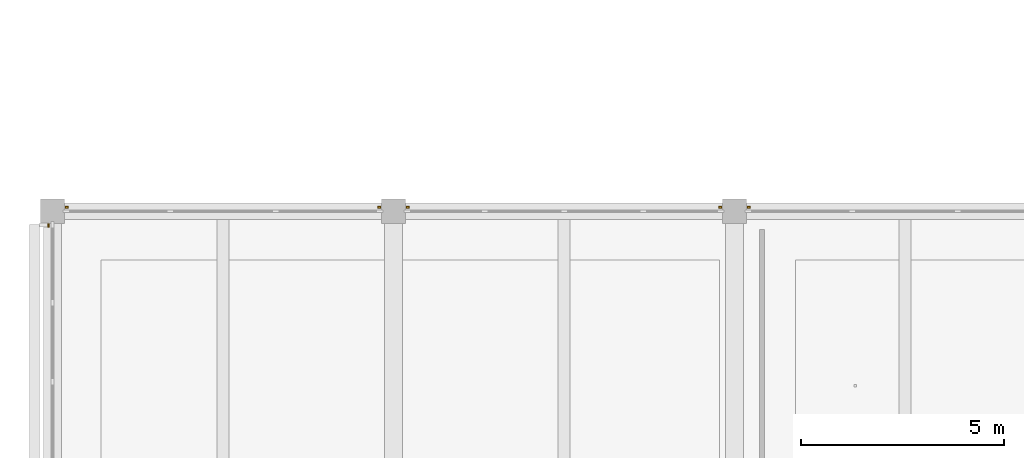
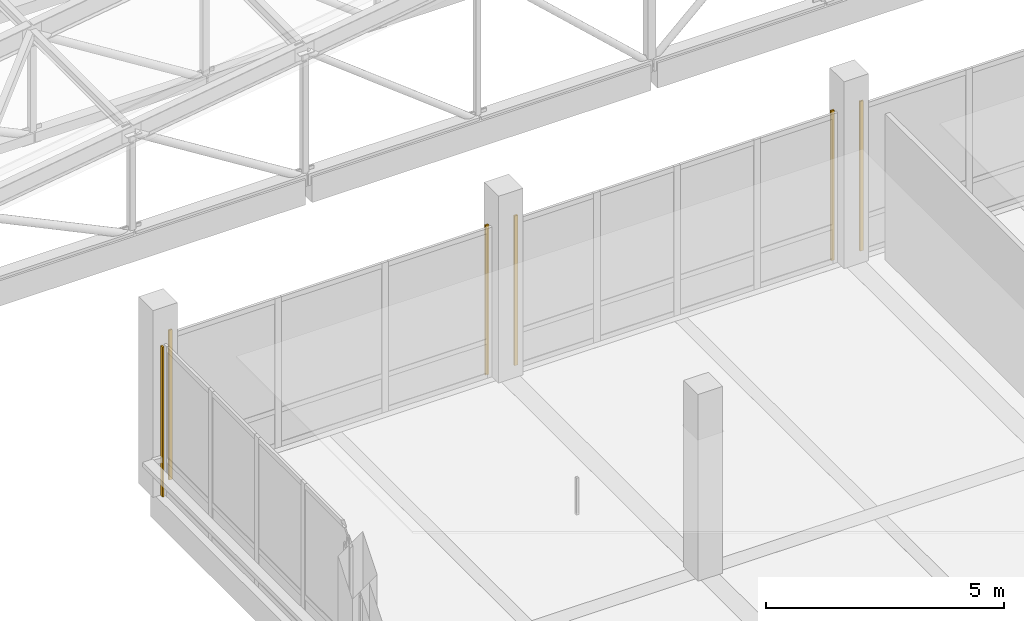
# One storey, part 119 of 122: 6 coverings.
"""IFC4 building model written with IfcOpenShell, lengths in metres."""

import ifcopenshell
import ifcopenshell.guid

model = None  # the IFC model being written
_history = None  # IfcOwnerHistory: only IFC2X3 demands one
_inside = {}  # id of a spatial element -> (the spatial element, [elements in it])
_under = {}  # id of a project, library or spatial element -> (it, [spatial elements below it])
_declared = {}  # id of a project -> (the project, [libraries it declares])
_typed = {}  # id of a type object -> (the type object, [elements of that type])
_made_of = {}  # id of a material, layer set ... -> (it, [elements and type objects made of it])


def new_model(schema):
    """Start an empty IFC model of exactly this schema.

    Asked for "IFC4X3", IfcOpenShell would pick the latest addendum, in which some entities
    have other attributes; the version numbers below select the first issue.
    IFC2X3 requires an IfcOwnerHistory on every rooted entity: one is made here for all.
    """
    global model, _history
    if schema == "IFC4X3":
        model = ifcopenshell.file(schema_version=(4, 3, 0, 0))
    else:
        model = ifcopenshell.file(schema=schema)
    _inside.clear()
    _under.clear()
    _declared.clear()
    _typed.clear()
    _made_of.clear()
    _history = None
    if model.schema == "IFC2X3":
        org = make("IfcOrganization", Name="unknown")
        user = make(
            "IfcPersonAndOrganization",
            ThePerson=make("IfcPerson", FamilyName="unknown"),
            TheOrganization=org,
        )
        app = make(
            "IfcApplication",
            ApplicationDeveloper=org,
            Version="unknown",
            ApplicationFullName="unknown",
            ApplicationIdentifier="unknown",
        )
        _history = make(
            "IfcOwnerHistory",
            OwningUser=user,
            OwningApplication=app,
            ChangeAction="ADDED",
            CreationDate=0,
        )
    return model


def make(cls, **values):
    """One entity of the class cls with the attributes given. An attribute that is None is left unset."""
    return model.create_entity(
        cls, **{name: value for name, value in values.items() if value is not None}
    )


def rooted(cls, **values):
    """An entity with a GlobalId (a new one), such as an element, a storey or a relation."""
    return make(cls, GlobalId=ifcopenshell.guid.new(), OwnerHistory=_history, **values)


def si_unit(unit_type, name, prefix=None):
    """IfcSIUnit, for example si_unit("LENGTHUNIT", "METRE", prefix="MILLI")."""
    return make("IfcSIUnit", UnitType=unit_type, Prefix=prefix, Name=name)


def assignment(units):
    """IfcUnitAssignment: the units of a project."""
    return None if units is None else make("IfcUnitAssignment", Units=units)


def point(xyz):
    """IfcCartesianPoint."""
    return None if xyz is None else make("IfcCartesianPoint", Coordinates=xyz)


def direction(xyz):
    """IfcDirection."""
    return None if xyz is None else make("IfcDirection", DirectionRatios=xyz)


def frame(location, z_axis=None, x_axis=None):
    """IfcAxis2Placement3D, a coordinate frame: its origin and axes. An axis left out is left unset."""
    return make(
        "IfcAxis2Placement3D",
        Location=point(location),
        Axis=direction(z_axis),
        RefDirection=direction(x_axis),
    )


def frame_2d(location, x_axis=None):
    """IfcAxis2Placement2D, a coordinate frame in the plane: its origin and x axis."""
    return make(
        "IfcAxis2Placement2D", Location=point(location), RefDirection=direction(x_axis)
    )


def origin():
    """The frame at (0, 0, 0) with its axes left unset."""
    return frame((0.0, 0.0, 0.0))


def origin_2d():
    """The frame at (0, 0) in the plane with its x axis left unset."""
    return frame_2d((0.0, 0.0))


def place(relative_to, where):
    """IfcLocalPlacement: puts the frame where relative to a parent placement (None: the world)."""
    return make(
        "IfcLocalPlacement", PlacementRelTo=relative_to, RelativePlacement=where
    )


def context(
    kind, dimensions, precision=None, world=None, true_north=None, identifier=None
):
    """IfcGeometricRepresentationContext, for example the 3D "Model" context."""
    return make(
        "IfcGeometricRepresentationContext",
        ContextIdentifier=identifier,
        ContextType=kind,
        CoordinateSpaceDimension=dimensions,
        Precision=precision,
        WorldCoordinateSystem=world,
        TrueNorth=true_north,
    )


def subcontext(parent, identifier, kind, view, scale=None):
    """IfcGeometricRepresentationSubContext, for example "Body" below "Model"."""
    return make(
        "IfcGeometricRepresentationSubContext",
        ContextIdentifier=identifier,
        ContextType=kind,
        ParentContext=parent,
        TargetScale=scale,
        TargetView=view,
    )


def project(units=None, contexts=None):
    """IfcProject with its units and contexts."""
    return rooted(
        "IfcProject",
        Name="project",
        RepresentationContexts=contexts,
        UnitsInContext=assignment(units),
    )


def spatial(cls, under=None, at=None, **own):
    """A site, building, storey or space (cls), placed at a placement, below another one or the project."""
    s = rooted(cls, ObjectPlacement=at, **own)
    if under is not None:
        _under.setdefault(under.id(), (under, []))[1].append(s)
    return s


def profile(cls, at=None, kind="AREA", **sizes):
    """A parametric profile (cls). Its sizes go by their IFC names, for example OverallWidth=200.0."""
    return make(cls, ProfileType=kind, Position=at, **sizes)


def rectangle(**sizes):
    """IfcRectangleProfileDef."""
    return profile("IfcRectangleProfileDef", **sizes)


def extrude(swept, where, along, depth):
    """IfcExtrudedAreaSolid: the profile swept, set in the frame where, extruded along a direction by depth."""
    return make(
        "IfcExtrudedAreaSolid",
        SweptArea=swept,
        Position=where,
        ExtrudedDirection=direction(along),
        Depth=depth,
    )


def shape(context_of_items, identifier, shape_type, items):
    """IfcShapeRepresentation: the items that make up one representation, for example the "Body"."""
    return make(
        "IfcShapeRepresentation",
        ContextOfItems=context_of_items,
        RepresentationIdentifier=identifier,
        RepresentationType=shape_type,
        Items=items,
    )


def material(Name=None, Category=None):
    """IfcMaterial."""
    return make("IfcMaterial", Name=Name, Category=Category)


def layer(
    of_material, thickness, ventilated=None, Name=None, Category=None, Priority=None
):
    """IfcMaterialLayer: one layer of a wall or slab, of a material (None: an air gap)."""
    return make(
        "IfcMaterialLayer",
        Material=of_material,
        LayerThickness=thickness,
        IsVentilated=ventilated,
        Name=Name,
        Category=Category,
        Priority=Priority,
    )


def layer_set(layers, Name=None):
    """IfcMaterialLayerSet."""
    return make("IfcMaterialLayerSet", MaterialLayers=layers, LayerSetName=Name)


def made_of(thing, what):
    """Note that an element or type object is made of a material, layer set ...; save() writes the relation."""
    if what is not None:
        _made_of.setdefault(what.id(), (what, []))[1].append(thing)
    return thing


def type_object(cls, material=None, **own):
    """A type object (cls), such as IfcWallType, which elements share."""
    return made_of(rooted(cls, **own), material)


def element(
    cls,
    number,
    at=None,
    inside=None,
    cuts=None,
    type_object=None,
    material=None,
    context=None,
    identifier="Body",
    shape_type=None,
    held_by="IfcProductDefinitionShape",
    body=None,
    shapes=None,
    **own,
):
    """One element of the class cls, such as IfcWall. Its Tag is "e" and its number.

    at: its placement. inside: the storey or other place that contains it. cuts: it is an
    opening in that element (IfcRelVoidsElement). A single representation is given by context,
    identifier, shape_type and body (its items); several are given by shapes. held_by: the class
    of the entity that holds the representations. save() writes the other relations.
    """
    e = rooted(cls, Tag="e%d" % number, ObjectPlacement=at, **own)
    if body is not None:
        shapes = [shape(context, identifier, shape_type, body)]
    if shapes is not None:
        e.Representation = make(held_by, Representations=shapes)
    if inside is not None:
        _inside.setdefault(inside.id(), (inside, []))[1].append(e)
    if cuts is not None:
        rooted(
            "IfcRelVoidsElement", RelatingBuildingElement=cuts, RelatedOpeningElement=e
        )
    if type_object is not None:
        _typed.setdefault(type_object.id(), (type_object, []))[1].append(e)
    return made_of(e, material)


def aggregate(whole, parts):
    """IfcRelAggregates: a whole, such as a stair, and the parts it consists of."""
    return rooted("IfcRelAggregates", RelatingObject=whole, RelatedObjects=parts)


def save(model, path):
    """Write the relations noted so far, then the file.

    IfcRelAggregates (storeys below a building ...), IfcRelContainedInSpatialStructure (elements
    in a storey), IfcRelDefinesByType, IfcRelAssociatesMaterial and IfcRelDeclares: one each for
    every whole, place, type object, material and project.
    """
    for whole, parts in _under.values():
        aggregate(whole, parts)
    for where, things in _inside.values():
        rooted(
            "IfcRelContainedInSpatialStructure",
            RelatedElements=things,
            RelatingStructure=where,
        )
    for kind, things in _typed.values():
        rooted("IfcRelDefinesByType", RelatedObjects=things, RelatingType=kind)
    for what, things in _made_of.values():
        rooted("IfcRelAssociatesMaterial", RelatedObjects=things, RelatingMaterial=what)
    for by, libraries in _declared.values():
        rooted("IfcRelDeclares", RelatingContext=by, RelatedDefinitions=libraries)
    model.write(path)


model = new_model("IFC4")

# Units and contexts
model_context = context("Model", 3, precision=1e-05, world=origin(), true_north=direction((0.0, 1.0)))
body_context = subcontext(model_context, "Body", "Model", "MODEL_VIEW")
ifc_project = project(units=[si_unit("LENGTHUNIT", "METRE"), si_unit("AREAUNIT", "SQUARE_METRE"), si_unit("VOLUMEUNIT", "CUBIC_METRE"), si_unit("PLANEANGLEUNIT", "RADIAN"), si_unit("MASSUNIT", "GRAM", prefix="KILO")], contexts=[model_context])

# Site, building, storey
site_placement = place(None, origin())
site = spatial("IfcSite", under=ifc_project, at=site_placement, CompositionType="ELEMENT")
building_placement = place(site_placement, origin())
building = spatial("IfcBuilding", under=site, at=building_placement, Name="Telukmera Botanical Conservatory", CompositionType="ELEMENT")
storey_placement = place(building_placement, frame((0.0, 0.0, 10.199951171875)))
storey = spatial("IfcBuildingStorey", under=building, at=storey_placement, Name="L02", CompositionType="ELEMENT", Elevation=10.199951171875)

# Coverings
ifc_material = material(Name="Granite-faced precast concrete C40/50", Category="masonry")
ifc_layer = layer(ifc_material, 0.0400390625)
ifc_layer_set = layer_set([ifc_layer], Name="Granite-faced precast concrete C40/50")
covering_type = type_object("IfcCoveringType", Name="Granite Precast Column Pier Reveal Casing", PredefinedType="CLADDING", material=ifc_layer_set)
for number, where, z_axis, x_axis, name in (
    (1, (8.751953125, 74.89990234375, 0.0), (0.0, 0.0, 1.0), (1.0, 0.0, 0.0), "Granite Pier Reveal V3:L02:N1 L"),
    (2, (16.447998046875, 74.89990234375, 0.0), (0.0, 0.0, 1.0), (1.0, 0.0, 0.0), "Granite Pier Reveal V3:L02:N1 R"),
    (3, (17.152099609375, 74.89990234375, 0.0), (0.0, 0.0, 1.0), (1.0, 0.0, 0.0), "Granite Pier Reveal V3:L02:N2 L"),
    (4, (24.847900390625, 74.89990234375, 0.0), (0.0, 0.0, 1.0), (1.0, 0.0, 0.0), "Granite Pier Reveal V3:L02:N2 R"),
    (5, (25.552001953125, 74.89990234375, 0.0), (0.0, 0.0, 1.0), (1.0, 0.0, 0.0), "Granite Pier Reveal V3:L02:N3 L"),
    (6, (8.300048828125, 74.447998046875, 0.0), (0.0, 0.0, 1.0), (0.0, 1.0, 0.0), "Granite Pier Reveal V3:L02:W7 R"),
):
    element("IfcCovering", number, at=place(storey_placement, frame(where, z_axis=z_axis, x_axis=x_axis)), inside=storey, type_object=covering_type, Name=name, PredefinedType="CLADDING", context=body_context, shape_type="SweptSolid", body=[
        extrude(rectangle(XDim=0.080078125, YDim=0.0400390625, at=origin_2d()), origin(), (0.0, 0.0, 1.0), 3.85009765625),
    ])

save(model, "model.ifc")
